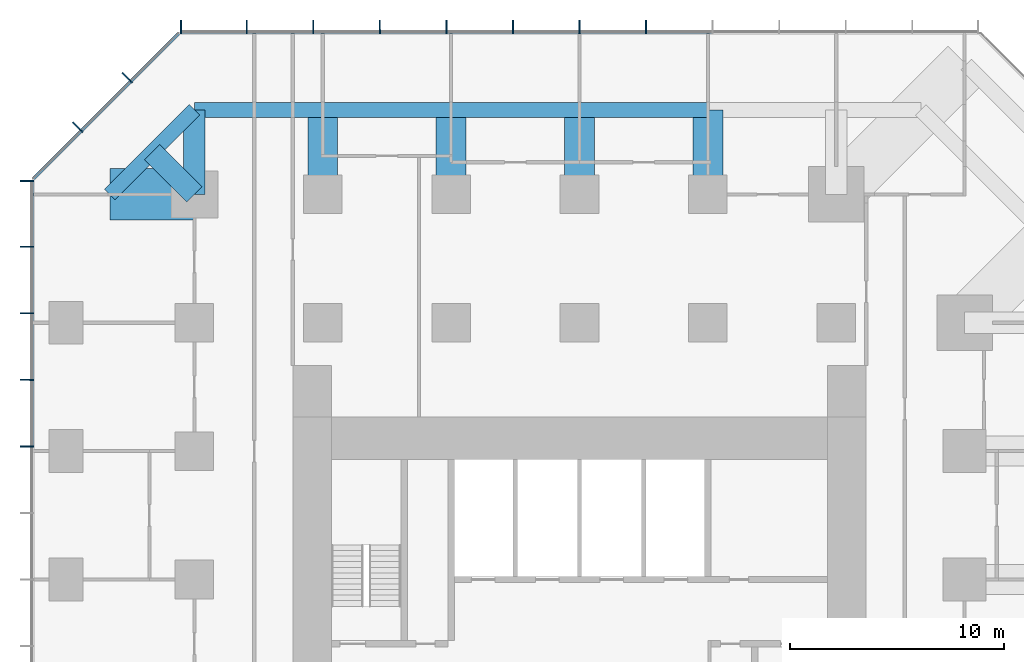
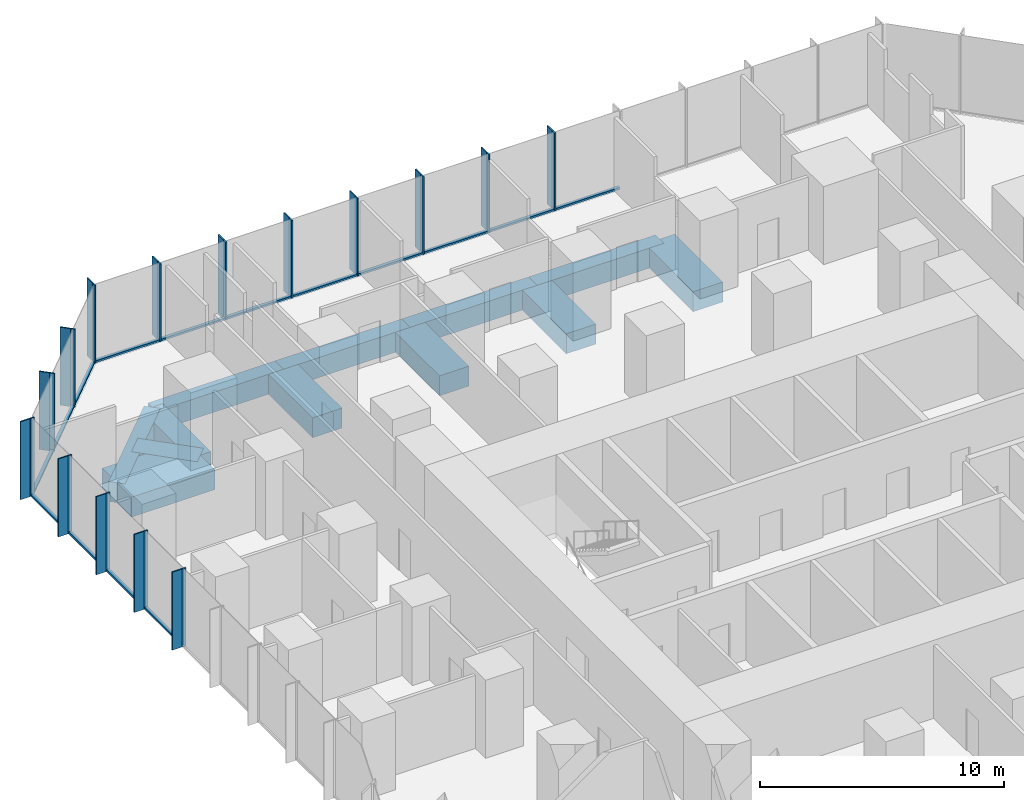
# One storey, part 5 of 12: 45 members, 12 beams, 3 elements without a shape of their own.
"""IFC4 building model written with IfcOpenShell, lengths in metres."""

from ifc_helpers import new_model, si_unit, direction, frame, origin, origin_2d, place, context, subcontext, project, spatial, rectangle, extrude, material, layer, layer_set, material_profile, profile_set, type_object, element, aggregate, save


model = new_model("IFC4")

# Units and contexts
model_context = context("Model", 3, precision=1e-05, world=origin(), true_north=direction((0.0, 1.0)))
body_context = subcontext(model_context, "Body", "Model", "MODEL_VIEW")
ifc_project = project(units=[si_unit("LENGTHUNIT", "METRE"), si_unit("AREAUNIT", "SQUARE_METRE"), si_unit("VOLUMEUNIT", "CUBIC_METRE"), si_unit("PLANEANGLEUNIT", "RADIAN"), si_unit("MASSUNIT", "GRAM", prefix="KILO")], contexts=[model_context])

# Site, building, storey
site_placement = place(None, origin())
site = spatial("IfcSite", under=ifc_project, at=site_placement, CompositionType="ELEMENT")
building_placement = place(site_placement, origin())
building = spatial("IfcBuilding", under=site, at=building_placement, Name="Highveld Stack Headquarters", CompositionType="ELEMENT")
storey_placement = place(building_placement, frame((0.0, 0.0, 76.699951171875)))
storey = spatial("IfcBuildingStorey", under=building, at=storey_placement, Name="L18", CompositionType="ELEMENT", Elevation=76.699951171875)

# Beams
ifc_material_1 = material(Name="Concrete C60/75", Category="concrete")
ifc_material_profile_1 = material_profile(ifc_material_1, rectangle(XDim=1.0, YDim=1.0, at=origin_2d()), Name="RC 1000x1000")
ifc_profile_set_1 = profile_set([ifc_material_profile_1], Name="Concrete C60/75")
beam_type_1 = type_object("IfcBeamType", Name="CANTILEVER RIB RC 1000x1000", PredefinedType="USERDEFINED", material=ifc_profile_set_1)
beam_1_placement = place(storey_placement, frame((-12.0, 24.0, -0.75), z_axis=(0.0, 1.0, 0.0), x_axis=(-1.0, 0.0, 0.0)))
element("IfcBeam", 1, at=beam_1_placement, inside=storey, type_object=beam_type_1, Name="Cantilever rib 4/J L18", ObjectType="CANTILEVER RIB", PredefinedType="USERDEFINED", context=body_context, shape_type="SweptSolid", body=[
    extrude(rectangle(XDim=1.0, YDim=1.0, at=origin_2d()), origin(), (0.0, 0.0, 1.0), 3.949951171875),
])
beam_2_placement = place(storey_placement, frame((-12.0, 24.0, -0.75), z_axis=(-0.707106781187, 0.707106781187, 0.0), x_axis=(-0.707106781187, -0.707106781187, 0.0)))
element("IfcBeam", 2, at=beam_2_placement, inside=storey, type_object=beam_type_1, Name="Cantilever rib 4/J L18", ObjectType="CANTILEVER RIB", PredefinedType="USERDEFINED", context=body_context, shape_type="SweptSolid", body=[
    extrude(rectangle(XDim=1.0, YDim=1.0, at=origin_2d()), origin(), (0.0, 0.0, 1.0), 2.793212890625),
])
ifc_material_2 = material(Name="Concrete C60/75", Category="concrete")
ifc_material_profile_2 = material_profile(ifc_material_2, rectangle(XDim=1.39990234375, YDim=1.0, at=origin_2d()), Name="RC 1400x1000")
ifc_profile_set_2 = profile_set([ifc_material_profile_2], Name="Concrete C60/75")
beam_type_2 = type_object("IfcBeamType", Name="CANTILEVER RIB RC 1400x1000", PredefinedType="USERDEFINED", material=ifc_profile_set_2)
for number, where, z_axis, x_axis, name in (
    (3, (-6.0, 24.0, -0.75), (0.0, 1.0, 0.0), (-1.0, 0.0, 0.0), "Cantilever rib 5/J L18"),
    (4, (0.0, 24.0, -0.75), (0.0, 1.0, 0.0), (-1.0, 0.0, 0.0), "Cantilever rib 6/J L18"),
    (5, (6.0, 24.0, -0.75), (0.0, 1.0, 0.0), (-1.0, 0.0, 0.0), "Cantilever rib 7/J L18"),
    (6, (12.0, 24.0, -0.75), (0.0, 1.0, 0.0), (-1.0, 0.0, 0.0), "Cantilever rib 8/J L18"),
):
    element("IfcBeam", number, at=place(storey_placement, frame(where, z_axis=z_axis, x_axis=x_axis)), inside=storey, type_object=beam_type_2, Name=name, ObjectType="CANTILEVER RIB", PredefinedType="USERDEFINED", context=body_context, shape_type="SweptSolid", body=[
        extrude(rectangle(XDim=1.39990234375, YDim=1.0, at=origin_2d()), origin(), (0.0, 0.0, 1.0), 3.949951171875),
    ])
ifc_material_3 = material(Name="Concrete C60/75", Category="concrete")
ifc_material_profile_3 = material_profile(ifc_material_3, rectangle(XDim=2.39990234375, YDim=1.0, at=origin_2d()), Name="RC 2400x1000")
ifc_profile_set_3 = profile_set([ifc_material_profile_3], Name="Concrete C60/75")
beam_type_3 = type_object("IfcBeamType", Name="CANTILEVER RIB RC 2400x1000", PredefinedType="USERDEFINED", material=ifc_profile_set_3)
beam_3_placement = place(storey_placement, frame((-12.0, 24.0, -0.75), z_axis=(-1.0, 0.0, 0.0), x_axis=(0.0, -1.0, 0.0)))
element("IfcBeam", 7, at=beam_3_placement, inside=storey, type_object=beam_type_3, Name="Cantilever rib 4/J L18", ObjectType="CANTILEVER RIB", PredefinedType="USERDEFINED", context=body_context, shape_type="SweptSolid", body=[
    extrude(rectangle(XDim=2.39990234375, YDim=1.0, at=origin_2d()), origin(), (0.0, 0.0, 1.0), 3.949951171875),
])

# Curtain wall, members
ifc_material_4 = material(Name="Aluminium bronze anodised", Category="aluminium")
ifc_layer_1 = layer(ifc_material_4, 0.199951171875)
ifc_layer_set_1 = layer_set([ifc_layer_1], Name="Aluminium bronze anodised")
curtain_wall_type_1 = type_object("IfcCurtainWallType", Name="CW1 TOWER UNITISED CURTAIN WALL", PredefinedType="NOTDEFINED", material=ifc_layer_set_1)
curtain_wall_1_placement = place(storey_placement, origin())
curtain_wall_1 = element("IfcCurtainWall", 8, at=curtain_wall_1_placement, inside=storey, type_object=curtain_wall_type_1, Name="Curtain wall CW1 L18 N", PredefinedType="NOTDEFINED")
ifc_material_5 = material(Name="Aluminium bronze anodised", Category="aluminium")
ifc_material_profile_4 = material_profile(ifc_material_5, rectangle(XDim=0.449951171875, YDim=0.06005859375, at=origin_2d()), Name="FIN 450x60")
ifc_profile_set_4 = profile_set([ifc_material_profile_4], Name="Aluminium bronze anodised")
member_type_1 = type_object("IfcMemberType", Name="CW1 BRONZE FIN 450x60", PredefinedType="USERDEFINED", material=ifc_profile_set_4)
member_1_placement = place(storey_placement, frame((9.110595703125, 31.925048828125, 0.0), z_axis=(0.0, 0.0, 1.0), x_axis=(0.0, -1.0, 0.0)))
member_1 = element("IfcMember", 9, at=member_1_placement, type_object=member_type_1, Name="CW1 fin L18 6", ObjectType="FIN", PredefinedType="USERDEFINED", context=body_context, shape_type="SweptSolid", body=[
    extrude(rectangle(XDim=0.449951171875, YDim=0.06005859375, at=origin_2d()), origin(), (0.0, 0.0, 1.0), 3.900146484375),
])
member_2_placement = place(storey_placement, frame((6.0, 31.925048828125, 0.0), z_axis=(0.0, 0.0, 1.0), x_axis=(0.0, -1.0, 0.0)))
member_2 = element("IfcMember", 10, at=member_2_placement, type_object=member_type_1, Name="CW1 fin L18 7", ObjectType="FIN", PredefinedType="USERDEFINED", context=body_context, shape_type="SweptSolid", body=[
    extrude(rectangle(XDim=0.449951171875, YDim=0.06005859375, at=origin_2d()), origin(), (0.0, 0.0, 1.0), 3.900146484375),
])
member_3_placement = place(storey_placement, frame((2.889404296875, 31.925048828125, 0.0), z_axis=(0.0, 0.0, 1.0), x_axis=(0.0, -1.0, 0.0)))
member_3 = element("IfcMember", 11, at=member_3_placement, type_object=member_type_1, Name="CW1 fin L18 8", ObjectType="FIN", PredefinedType="USERDEFINED", context=body_context, shape_type="SweptSolid", body=[
    extrude(rectangle(XDim=0.449951171875, YDim=0.06005859375, at=origin_2d()), origin(), (0.0, 0.0, 1.0), 3.900146484375),
])
member_4_placement = place(storey_placement, frame((-0.220947265625, 31.925048828125, 0.0), z_axis=(0.0, 0.0, 1.0), x_axis=(0.0, -1.0, 0.0)))
member_4 = element("IfcMember", 12, at=member_4_placement, type_object=member_type_1, Name="CW1 fin L18 9", ObjectType="FIN", PredefinedType="USERDEFINED", context=body_context, shape_type="SweptSolid", body=[
    extrude(rectangle(XDim=0.449951171875, YDim=0.06005859375, at=origin_2d()), origin(), (0.0, 0.0, 1.0), 3.900146484375),
])
member_5_placement = place(storey_placement, frame((-3.331298828125, 31.925048828125, 0.0), z_axis=(0.0, 0.0, 1.0), x_axis=(0.0, -1.0, 0.0)))
member_5 = element("IfcMember", 13, at=member_5_placement, type_object=member_type_1, Name="CW1 fin L18 10", ObjectType="FIN", PredefinedType="USERDEFINED", context=body_context, shape_type="SweptSolid", body=[
    extrude(rectangle(XDim=0.449951171875, YDim=0.06005859375, at=origin_2d()), origin(), (0.0, 0.0, 1.0), 3.900146484375),
])
member_6_placement = place(storey_placement, frame((-6.44189453125, 31.925048828125, 0.0), z_axis=(0.0, 0.0, 1.0), x_axis=(0.0, -1.0, 0.0)))
member_6 = element("IfcMember", 14, at=member_6_placement, type_object=member_type_1, Name="CW1 fin L18 11", ObjectType="FIN", PredefinedType="USERDEFINED", context=body_context, shape_type="SweptSolid", body=[
    extrude(rectangle(XDim=0.449951171875, YDim=0.06005859375, at=origin_2d()), origin(), (0.0, 0.0, 1.0), 3.900146484375),
])
member_7_placement = place(storey_placement, frame((-9.55224609375, 31.925048828125, 0.0), z_axis=(0.0, 0.0, 1.0), x_axis=(0.0, -1.0, 0.0)))
member_7 = element("IfcMember", 15, at=member_7_placement, type_object=member_type_1, Name="CW1 fin L18 12", ObjectType="FIN", PredefinedType="USERDEFINED", context=body_context, shape_type="SweptSolid", body=[
    extrude(rectangle(XDim=0.449951171875, YDim=0.06005859375, at=origin_2d()), origin(), (0.0, 0.0, 1.0), 3.900146484375),
])
member_8_placement = place(storey_placement, frame((-12.630126953125, 31.925048828125, 0.0), z_axis=(0.0, 0.0, 1.0), x_axis=(0.0, -1.0, 0.0)))
member_8 = element("IfcMember", 16, at=member_8_placement, type_object=member_type_1, Name="CW1 fin L18 13", ObjectType="FIN", PredefinedType="USERDEFINED", context=body_context, shape_type="SweptSolid", body=[
    extrude(rectangle(XDim=0.449951171875, YDim=0.06005859375, at=origin_2d()), origin(), (0.0, 0.0, 1.0), 3.900146484375),
])

curtain_wall_2_placement = place(storey_placement, origin())
curtain_wall_2 = element("IfcCurtainWall", 17, at=curtain_wall_2_placement, inside=storey, type_object=curtain_wall_type_1, Name="Curtain wall CW1 L18 W", PredefinedType="NOTDEFINED")
member_9_placement = place(storey_placement, frame((-19.925048828125, 24.630126953125, 0.0), z_axis=(0.0, 0.0, 1.0), x_axis=(1.0, 0.0, 0.0)))
member_9 = element("IfcMember", 18, at=member_9_placement, type_object=member_type_1, Name="CW1 fin L18 1", ObjectType="FIN", PredefinedType="USERDEFINED", context=body_context, shape_type="SweptSolid", body=[
    extrude(rectangle(XDim=0.449951171875, YDim=0.06005859375, at=origin_2d()), origin(), (0.0, 0.0, 1.0), 3.900146484375),
])
member_10_placement = place(storey_placement, frame((-19.925048828125, 21.55224609375, 0.0), z_axis=(0.0, 0.0, 1.0), x_axis=(1.0, 0.0, 0.0)))
member_10 = element("IfcMember", 19, at=member_10_placement, type_object=member_type_1, Name="CW1 fin L18 2", ObjectType="FIN", PredefinedType="USERDEFINED", context=body_context, shape_type="SweptSolid", body=[
    extrude(rectangle(XDim=0.449951171875, YDim=0.06005859375, at=origin_2d()), origin(), (0.0, 0.0, 1.0), 3.900146484375),
])
member_11_placement = place(storey_placement, frame((-19.925048828125, 18.44189453125, 0.0), z_axis=(0.0, 0.0, 1.0), x_axis=(1.0, 0.0, 0.0)))
member_11 = element("IfcMember", 20, at=member_11_placement, type_object=member_type_1, Name="CW1 fin L18 3", ObjectType="FIN", PredefinedType="USERDEFINED", context=body_context, shape_type="SweptSolid", body=[
    extrude(rectangle(XDim=0.449951171875, YDim=0.06005859375, at=origin_2d()), origin(), (0.0, 0.0, 1.0), 3.900146484375),
])
member_12_placement = place(storey_placement, frame((-19.925048828125, 15.331298828125, 0.0), z_axis=(0.0, 0.0, 1.0), x_axis=(1.0, 0.0, 0.0)))
member_12 = element("IfcMember", 21, at=member_12_placement, type_object=member_type_1, Name="CW1 fin L18 4", ObjectType="FIN", PredefinedType="USERDEFINED", context=body_context, shape_type="SweptSolid", body=[
    extrude(rectangle(XDim=0.449951171875, YDim=0.06005859375, at=origin_2d()), origin(), (0.0, 0.0, 1.0), 3.900146484375),
])
member_13_placement = place(storey_placement, frame((-19.925048828125, 12.220947265625, 0.0), z_axis=(0.0, 0.0, 1.0), x_axis=(1.0, 0.0, 0.0)))
member_13 = element("IfcMember", 22, at=member_13_placement, type_object=member_type_1, Name="CW1 fin L18 5", ObjectType="FIN", PredefinedType="USERDEFINED", context=body_context, shape_type="SweptSolid", body=[
    extrude(rectangle(XDim=0.449951171875, YDim=0.06005859375, at=origin_2d()), origin(), (0.0, 0.0, 1.0), 3.900146484375),
])

# Member
ifc_material_6 = material(Name="Aluminium bronze anodised", Category="aluminium")
ifc_material_profile_5 = material_profile(ifc_material_6, rectangle(XDim=0.199951171875, YDim=0.06494140625, at=origin_2d()), Name="CW1 MULLION 65x200")
ifc_profile_set_5 = profile_set([ifc_material_profile_5], Name="Aluminium bronze anodised")
member_type_2 = type_object("IfcMemberType", Name="CW1 MULLION 65x200", PredefinedType="MULLION", material=ifc_profile_set_5)
member_14_placement = place(storey_placement, frame((9.110595703125, 31.60009765625, 0.0), z_axis=(0.0, 0.0, 1.0), x_axis=(0.0, -1.0, 0.0)))
member_14 = element("IfcMember", 23, at=member_14_placement, type_object=member_type_2, Name="CW1 mullion L18 6", PredefinedType="MULLION", context=body_context, shape_type="SweptSolid", body=[
    extrude(rectangle(XDim=0.199951171875, YDim=0.06494140625, at=origin_2d()), origin(), (0.0, 0.0, 1.0), 3.900146484375),
])

member_15_placement = place(storey_placement, frame((6.0, 31.60009765625, 0.0), z_axis=(0.0, 0.0, 1.0), x_axis=(0.0, -1.0, 0.0)))
member_15 = element("IfcMember", 24, at=member_15_placement, type_object=member_type_2, Name="CW1 mullion L18 7", PredefinedType="MULLION", context=body_context, shape_type="SweptSolid", body=[
    extrude(rectangle(XDim=0.199951171875, YDim=0.06494140625, at=origin_2d()), origin(), (0.0, 0.0, 1.0), 3.900146484375),
])

member_16_placement = place(storey_placement, frame((2.889404296875, 31.60009765625, 0.0), z_axis=(0.0, 0.0, 1.0), x_axis=(0.0, -1.0, 0.0)))
member_16 = element("IfcMember", 25, at=member_16_placement, type_object=member_type_2, Name="CW1 mullion L18 8", PredefinedType="MULLION", context=body_context, shape_type="SweptSolid", body=[
    extrude(rectangle(XDim=0.199951171875, YDim=0.06494140625, at=origin_2d()), origin(), (0.0, 0.0, 1.0), 3.900146484375),
])

member_17_placement = place(storey_placement, frame((-0.220947265625, 31.60009765625, 0.0), z_axis=(0.0, 0.0, 1.0), x_axis=(0.0, -1.0, 0.0)))
member_17 = element("IfcMember", 26, at=member_17_placement, type_object=member_type_2, Name="CW1 mullion L18 9", PredefinedType="MULLION", context=body_context, shape_type="SweptSolid", body=[
    extrude(rectangle(XDim=0.199951171875, YDim=0.06494140625, at=origin_2d()), origin(), (0.0, 0.0, 1.0), 3.900146484375),
])

member_18_placement = place(storey_placement, frame((-3.331298828125, 31.60009765625, 0.0), z_axis=(0.0, 0.0, 1.0), x_axis=(0.0, -1.0, 0.0)))
member_18 = element("IfcMember", 27, at=member_18_placement, type_object=member_type_2, Name="CW1 mullion L18 10", PredefinedType="MULLION", context=body_context, shape_type="SweptSolid", body=[
    extrude(rectangle(XDim=0.199951171875, YDim=0.06494140625, at=origin_2d()), origin(), (0.0, 0.0, 1.0), 3.900146484375),
])

member_19_placement = place(storey_placement, frame((-6.44189453125, 31.60009765625, 0.0), z_axis=(0.0, 0.0, 1.0), x_axis=(0.0, -1.0, 0.0)))
member_19 = element("IfcMember", 28, at=member_19_placement, type_object=member_type_2, Name="CW1 mullion L18 11", PredefinedType="MULLION", context=body_context, shape_type="SweptSolid", body=[
    extrude(rectangle(XDim=0.199951171875, YDim=0.06494140625, at=origin_2d()), origin(), (0.0, 0.0, 1.0), 3.900146484375),
])

member_20_placement = place(storey_placement, frame((-9.55224609375, 31.60009765625, 0.0), z_axis=(0.0, 0.0, 1.0), x_axis=(0.0, -1.0, 0.0)))
member_20 = element("IfcMember", 29, at=member_20_placement, type_object=member_type_2, Name="CW1 mullion L18 12", PredefinedType="MULLION", context=body_context, shape_type="SweptSolid", body=[
    extrude(rectangle(XDim=0.199951171875, YDim=0.06494140625, at=origin_2d()), origin(), (0.0, 0.0, 1.0), 3.900146484375),
])

member_21_placement = place(storey_placement, frame((-12.630126953125, 31.60009765625, 0.0), z_axis=(0.0, 0.0, 1.0), x_axis=(0.0, -1.0, 0.0)))
member_21 = element("IfcMember", 30, at=member_21_placement, type_object=member_type_2, Name="CW1 mullion L18 13", PredefinedType="MULLION", context=body_context, shape_type="SweptSolid", body=[
    extrude(rectangle(XDim=0.199951171875, YDim=0.06494140625, at=origin_2d()), origin(), (0.0, 0.0, 1.0), 3.900146484375),
])

member_22_placement = place(storey_placement, frame((-19.60009765625, 24.630126953125, 0.0), z_axis=(0.0, 0.0, 1.0), x_axis=(1.0, 0.0, 0.0)))
member_22 = element("IfcMember", 31, at=member_22_placement, type_object=member_type_2, Name="CW1 mullion L18 1", PredefinedType="MULLION", context=body_context, shape_type="SweptSolid", body=[
    extrude(rectangle(XDim=0.199951171875, YDim=0.06494140625, at=origin_2d()), origin(), (0.0, 0.0, 1.0), 3.900146484375),
])

member_23_placement = place(storey_placement, frame((-19.60009765625, 21.55224609375, 0.0), z_axis=(0.0, 0.0, 1.0), x_axis=(1.0, 0.0, 0.0)))
member_23 = element("IfcMember", 32, at=member_23_placement, type_object=member_type_2, Name="CW1 mullion L18 2", PredefinedType="MULLION", context=body_context, shape_type="SweptSolid", body=[
    extrude(rectangle(XDim=0.199951171875, YDim=0.06494140625, at=origin_2d()), origin(), (0.0, 0.0, 1.0), 3.900146484375),
])

member_24_placement = place(storey_placement, frame((-19.60009765625, 18.44189453125, 0.0), z_axis=(0.0, 0.0, 1.0), x_axis=(1.0, 0.0, 0.0)))
member_24 = element("IfcMember", 33, at=member_24_placement, type_object=member_type_2, Name="CW1 mullion L18 3", PredefinedType="MULLION", context=body_context, shape_type="SweptSolid", body=[
    extrude(rectangle(XDim=0.199951171875, YDim=0.06494140625, at=origin_2d()), origin(), (0.0, 0.0, 1.0), 3.900146484375),
])

member_25_placement = place(storey_placement, frame((-19.60009765625, 15.331298828125, 0.0), z_axis=(0.0, 0.0, 1.0), x_axis=(1.0, 0.0, 0.0)))
member_25 = element("IfcMember", 34, at=member_25_placement, type_object=member_type_2, Name="CW1 mullion L18 4", PredefinedType="MULLION", context=body_context, shape_type="SweptSolid", body=[
    extrude(rectangle(XDim=0.199951171875, YDim=0.06494140625, at=origin_2d()), origin(), (0.0, 0.0, 1.0), 3.900146484375),
])

member_26_placement = place(storey_placement, frame((-19.60009765625, 12.220947265625, 0.0), z_axis=(0.0, 0.0, 1.0), x_axis=(1.0, 0.0, 0.0)))
member_26 = element("IfcMember", 35, at=member_26_placement, type_object=member_type_2, Name="CW1 mullion L18 5", PredefinedType="MULLION", context=body_context, shape_type="SweptSolid", body=[
    extrude(rectangle(XDim=0.199951171875, YDim=0.06494140625, at=origin_2d()), origin(), (0.0, 0.0, 1.0), 3.900146484375),
])

ifc_material_7 = material(Name="Aluminium bronze anodised", Category="aluminium")
ifc_material_profile_6 = material_profile(ifc_material_7, rectangle(XDim=0.14990234375, YDim=0.10009765625, at=origin_2d()), Name="CW1 TRANSOM 150x100")
ifc_profile_set_6 = profile_set([ifc_material_profile_6], Name="Aluminium bronze anodised")
member_type_3 = type_object("IfcMemberType", Name="CW1 STACK TRANSOM 150x100", PredefinedType="USERDEFINED", material=ifc_profile_set_6)
member_27_placement = place(storey_placement, frame((12.1884765625, 31.60009765625, 0.050048828125), z_axis=(-1.0, 0.0, 0.0), x_axis=(0.0, -1.0, 0.0)))
member_27 = element("IfcMember", 36, at=member_27_placement, type_object=member_type_3, Name="CW1 transom L18 5.1", ObjectType="TRANSOM", PredefinedType="USERDEFINED", context=body_context, shape_type="SweptSolid", body=[
    extrude(rectangle(XDim=0.14990234375, YDim=0.10009765625, at=origin_2d()), origin(), (0.0, 0.0, 1.0), 3.04541015625),
])

member_28_placement = place(storey_placement, frame((9.077880859375, 31.60009765625, 0.050048828125), z_axis=(-1.0, 0.0, 0.0), x_axis=(0.0, -1.0, 0.0)))
member_28 = element("IfcMember", 37, at=member_28_placement, type_object=member_type_3, Name="CW1 transom L18 6.1", ObjectType="TRANSOM", PredefinedType="USERDEFINED", context=body_context, shape_type="SweptSolid", body=[
    extrude(rectangle(XDim=0.14990234375, YDim=0.10009765625, at=origin_2d()), origin(), (0.0, 0.0, 1.0), 3.04541015625),
])

member_29_placement = place(storey_placement, frame((5.967529296875, 31.60009765625, 0.050048828125), z_axis=(-1.0, 0.0, 0.0), x_axis=(0.0, -1.0, 0.0)))
member_29 = element("IfcMember", 38, at=member_29_placement, type_object=member_type_3, Name="CW1 transom L18 7.1", ObjectType="TRANSOM", PredefinedType="USERDEFINED", context=body_context, shape_type="SweptSolid", body=[
    extrude(rectangle(XDim=0.14990234375, YDim=0.10009765625, at=origin_2d()), origin(), (0.0, 0.0, 1.0), 3.04541015625),
])

member_30_placement = place(storey_placement, frame((2.857177734375, 31.60009765625, 0.050048828125), z_axis=(-1.0, 0.0, 0.0), x_axis=(0.0, -1.0, 0.0)))
member_30 = element("IfcMember", 39, at=member_30_placement, type_object=member_type_3, Name="CW1 transom L18 8.1", ObjectType="TRANSOM", PredefinedType="USERDEFINED", context=body_context, shape_type="SweptSolid", body=[
    extrude(rectangle(XDim=0.14990234375, YDim=0.10009765625, at=origin_2d()), origin(), (0.0, 0.0, 1.0), 3.045654296875),
])

member_31_placement = place(storey_placement, frame((-0.25341796875, 31.60009765625, 0.050048828125), z_axis=(-1.0, 0.0, 0.0), x_axis=(0.0, -1.0, 0.0)))
member_31 = element("IfcMember", 40, at=member_31_placement, type_object=member_type_3, Name="CW1 transom L18 9.1", ObjectType="TRANSOM", PredefinedType="USERDEFINED", context=body_context, shape_type="SweptSolid", body=[
    extrude(rectangle(XDim=0.14990234375, YDim=0.10009765625, at=origin_2d()), origin(), (0.0, 0.0, 1.0), 3.04541015625),
])

member_32_placement = place(storey_placement, frame((-3.36376953125, 31.60009765625, 0.050048828125), z_axis=(-1.0, 0.0, 0.0), x_axis=(0.0, -1.0, 0.0)))
member_32 = element("IfcMember", 41, at=member_32_placement, type_object=member_type_3, Name="CW1 transom L18 10.1", ObjectType="TRANSOM", PredefinedType="USERDEFINED", context=body_context, shape_type="SweptSolid", body=[
    extrude(rectangle(XDim=0.14990234375, YDim=0.10009765625, at=origin_2d()), origin(), (0.0, 0.0, 1.0), 3.04541015625),
])

member_33_placement = place(storey_placement, frame((-6.474365234375, 31.60009765625, 0.050048828125), z_axis=(-1.0, 0.0, 0.0), x_axis=(0.0, -1.0, 0.0)))
member_33 = element("IfcMember", 42, at=member_33_placement, type_object=member_type_3, Name="CW1 transom L18 11.1", ObjectType="TRANSOM", PredefinedType="USERDEFINED", context=body_context, shape_type="SweptSolid", body=[
    extrude(rectangle(XDim=0.14990234375, YDim=0.10009765625, at=origin_2d()), origin(), (0.0, 0.0, 1.0), 3.04541015625),
])

member_34_placement = place(storey_placement, frame((-9.584716796875, 31.60009765625, 0.050048828125), z_axis=(-1.0, 0.0, 0.0), x_axis=(0.0, -1.0, 0.0)))
member_34 = element("IfcMember", 43, at=member_34_placement, type_object=member_type_3, Name="CW1 transom L18 12.1", ObjectType="TRANSOM", PredefinedType="USERDEFINED", context=body_context, shape_type="SweptSolid", body=[
    extrude(rectangle(XDim=0.14990234375, YDim=0.10009765625, at=origin_2d()), origin(), (0.0, 0.0, 1.0), 3.012939453125),
])

aggregate(curtain_wall_1, [member_14, member_1, member_15, member_2, member_16, member_3, member_17, member_4, member_18, member_5, member_19, member_6, member_20, member_7, member_21, member_8, member_27, member_28, member_29, member_30, member_31, member_32, member_33, member_34])

member_35_placement = place(storey_placement, frame((-19.60009765625, 24.59765625, 0.050048828125), z_axis=(0.0, -1.0, 0.0), x_axis=(1.0, 0.0, 0.0)))
member_35 = element("IfcMember", 44, at=member_35_placement, type_object=member_type_3, Name="CW1 transom L18 1.1", ObjectType="TRANSOM", PredefinedType="USERDEFINED", context=body_context, shape_type="SweptSolid", body=[
    extrude(rectangle(XDim=0.14990234375, YDim=0.10009765625, at=origin_2d()), origin(), (0.0, 0.0, 1.0), 3.012939453125),
])

member_36_placement = place(storey_placement, frame((-19.60009765625, 21.519775390625, 0.050048828125), z_axis=(0.0, -1.0, 0.0), x_axis=(1.0, 0.0, 0.0)))
member_36 = element("IfcMember", 45, at=member_36_placement, type_object=member_type_3, Name="CW1 transom L18 2.1", ObjectType="TRANSOM", PredefinedType="USERDEFINED", context=body_context, shape_type="SweptSolid", body=[
    extrude(rectangle(XDim=0.14990234375, YDim=0.10009765625, at=origin_2d()), origin(), (0.0, 0.0, 1.0), 3.04541015625),
])

member_37_placement = place(storey_placement, frame((-19.60009765625, 18.4091796875, 0.050048828125), z_axis=(0.0, -1.0, 0.0), x_axis=(1.0, 0.0, 0.0)))
member_37 = element("IfcMember", 46, at=member_37_placement, type_object=member_type_3, Name="CW1 transom L18 3.1", ObjectType="TRANSOM", PredefinedType="USERDEFINED", context=body_context, shape_type="SweptSolid", body=[
    extrude(rectangle(XDim=0.14990234375, YDim=0.10009765625, at=origin_2d()), origin(), (0.0, 0.0, 1.0), 3.045166015625),
])

member_38_placement = place(storey_placement, frame((-19.60009765625, 15.298828125, 0.050048828125), z_axis=(0.0, -1.0, 0.0), x_axis=(1.0, 0.0, 0.0)))
member_38 = element("IfcMember", 47, at=member_38_placement, type_object=member_type_3, Name="CW1 transom L18 4.1", ObjectType="TRANSOM", PredefinedType="USERDEFINED", context=body_context, shape_type="SweptSolid", body=[
    extrude(rectangle(XDim=0.14990234375, YDim=0.10009765625, at=origin_2d()), origin(), (0.0, 0.0, 1.0), 3.04541015625),
])

aggregate(curtain_wall_2, [member_22, member_9, member_23, member_10, member_24, member_11, member_25, member_12, member_26, member_13, member_35, member_36, member_37, member_38])

# Curtain wall, members
ifc_material_8 = material(Name="Aluminium bronze anodised", Category="aluminium")
ifc_layer_2 = layer(ifc_material_8, 0.199951171875)
ifc_layer_set_2 = layer_set([ifc_layer_2], Name="Aluminium bronze anodised")
curtain_wall_type_2 = type_object("IfcCurtainWallType", Name="CW2 TOWER CHAMFER UNITISED CURTAIN WALL", PredefinedType="NOTDEFINED", material=ifc_layer_set_2)
curtain_wall_3_placement = place(storey_placement, origin())
curtain_wall_3 = element("IfcCurtainWall", 48, at=curtain_wall_3_placement, inside=storey, type_object=curtain_wall_type_2, Name="Curtain wall CW2 L18 NW", PredefinedType="NOTDEFINED")
ifc_material_9 = material(Name="Aluminium bronze anodised", Category="aluminium")
ifc_material_profile_7 = material_profile(ifc_material_9, rectangle(XDim=0.449951171875, YDim=0.06005859375, at=origin_2d()), Name="FIN 450x60")
ifc_profile_set_7 = profile_set([ifc_material_profile_7], Name="Aluminium bronze anodised")
member_type_4 = type_object("IfcMemberType", Name="CW2 BRONZE FIN 450x60", PredefinedType="USERDEFINED", material=ifc_profile_set_7)
member_39_placement = place(storey_placement, frame((-15.204833984375, 29.517333984375, 0.0), z_axis=(0.0, 0.0, 1.0), x_axis=(0.707106781187, -0.707106781187, 0.0)))
member_39 = element("IfcMember", 49, at=member_39_placement, type_object=member_type_4, Name="CW2 fin L18 1", ObjectType="FIN", PredefinedType="USERDEFINED", context=body_context, shape_type="SweptSolid", body=[
    extrude(rectangle(XDim=0.449951171875, YDim=0.06005859375, at=origin_2d()), origin(), (0.0, 0.0, 1.0), 3.900146484375),
])
member_40_placement = place(storey_placement, frame((-17.517333984375, 27.204833984375, 0.0), z_axis=(0.0, 0.0, 1.0), x_axis=(0.707106781187, -0.707106781187, 0.0)))
member_40 = element("IfcMember", 50, at=member_40_placement, type_object=member_type_4, Name="CW2 fin L18 2", ObjectType="FIN", PredefinedType="USERDEFINED", context=body_context, shape_type="SweptSolid", body=[
    extrude(rectangle(XDim=0.449951171875, YDim=0.06005859375, at=origin_2d()), origin(), (0.0, 0.0, 1.0), 3.900146484375),
])
ifc_material_10 = material(Name="Aluminium bronze anodised", Category="aluminium")
ifc_material_profile_8 = material_profile(ifc_material_10, rectangle(XDim=0.199951171875, YDim=0.06494140625, at=origin_2d()), Name="CW2 MULLION 65x200")
ifc_profile_set_8 = profile_set([ifc_material_profile_8], Name="Aluminium bronze anodised")
member_type_5 = type_object("IfcMemberType", Name="CW2 MULLION 65x200", PredefinedType="MULLION", material=ifc_profile_set_8)
member_41_placement = place(storey_placement, frame((-14.97509765625, 29.28759765625, 0.0), z_axis=(0.0, 0.0, 1.0), x_axis=(0.707106781187, -0.707106781187, 0.0)))
member_41 = element("IfcMember", 51, at=member_41_placement, type_object=member_type_5, Name="CW2 mullion L18 1", PredefinedType="MULLION", context=body_context, shape_type="SweptSolid", body=[
    extrude(rectangle(XDim=0.199951171875, YDim=0.06494140625, at=origin_2d()), origin(), (0.0, 0.0, 1.0), 3.900146484375),
])
member_42_placement = place(storey_placement, frame((-17.28759765625, 26.97509765625, 0.0), z_axis=(0.0, 0.0, 1.0), x_axis=(0.707106781187, -0.707106781187, 0.0)))
member_42 = element("IfcMember", 52, at=member_42_placement, type_object=member_type_5, Name="CW2 mullion L18 2", PredefinedType="MULLION", context=body_context, shape_type="SweptSolid", body=[
    extrude(rectangle(XDim=0.199951171875, YDim=0.06494140625, at=origin_2d()), origin(), (0.0, 0.0, 1.0), 3.900146484375),
])
ifc_material_11 = material(Name="Aluminium bronze anodised", Category="aluminium")
ifc_material_profile_9 = material_profile(ifc_material_11, rectangle(XDim=0.14990234375, YDim=0.10009765625, at=origin_2d()), Name="CW2 TRANSOM 150x100")
ifc_profile_set_9 = profile_set([ifc_material_profile_9], Name="Aluminium bronze anodised")
member_type_6 = type_object("IfcMemberType", Name="CW2 STACK TRANSOM 150x100", PredefinedType="USERDEFINED", material=ifc_profile_set_9)
member_43_placement = place(storey_placement, frame((-12.7333984375, 31.529296875, 0.050048828125), z_axis=(-0.707106781187, -0.707106781187, 0.0), x_axis=(0.707106781187, -0.707106781187, 0.0)))
member_43 = element("IfcMember", 53, at=member_43_placement, type_object=member_type_6, Name="CW2 transom L18 1.1", ObjectType="TRANSOM", PredefinedType="USERDEFINED", context=body_context, shape_type="SweptSolid", body=[
    extrude(rectangle(XDim=0.14990234375, YDim=0.10009765625, at=origin_2d()), origin(), (0.0, 0.0, 1.0), 3.1376953125),
])
member_44_placement = place(storey_placement, frame((-14.998046875, 29.2646484375, 0.050048828125), z_axis=(-0.707106781187, -0.707106781187, 0.0), x_axis=(0.707106781187, -0.707106781187, 0.0)))
member_44 = element("IfcMember", 54, at=member_44_placement, type_object=member_type_6, Name="CW2 transom L18 2.1", ObjectType="TRANSOM", PredefinedType="USERDEFINED", context=body_context, shape_type="SweptSolid", body=[
    extrude(rectangle(XDim=0.14990234375, YDim=0.10009765625, at=origin_2d()), origin(), (0.0, 0.0, 1.0), 3.20556640625),
])
member_45_placement = place(storey_placement, frame((-17.310546875, 26.9521484375, 0.050048828125), z_axis=(-0.707106781187, -0.707106781187, 0.0), x_axis=(0.707106781187, -0.707106781187, 0.0)))
member_45 = element("IfcMember", 55, at=member_45_placement, type_object=member_type_6, Name="CW2 transom L18 3.1", ObjectType="TRANSOM", PredefinedType="USERDEFINED", context=body_context, shape_type="SweptSolid", body=[
    extrude(rectangle(XDim=0.14990234375, YDim=0.10009765625, at=origin_2d()), origin(), (0.0, 0.0, 1.0), 3.1376953125),
])
aggregate(curtain_wall_3, [member_41, member_39, member_42, member_40, member_43, member_44, member_45])

# Beams
ifc_material_12 = material(Name="Concrete C60/75", Category="concrete")
ifc_material_profile_10 = material_profile(ifc_material_12, rectangle(XDim=0.699951171875, YDim=1.0, at=origin_2d()), Name="RC 700x1000")
ifc_profile_set_10 = profile_set([ifc_material_profile_10], Name="Concrete C60/75")
beam_type_4 = type_object("IfcBeamType", Name="RIB TIP BEAM RC 700x1000", PredefinedType="SPANDREL", material=ifc_profile_set_10)
for number, where, z_axis, x_axis, name in (
    (56, (-12.0, 27.949951171875, -0.75), (1.0, 0.0, 0.0), (0.0, 1.0, 0.0), "Rib tip beam 4/J to 5/J L18"),
    (57, (-6.0, 27.949951171875, -0.75), (1.0, 0.0, 0.0), (0.0, 1.0, 0.0), "Rib tip beam 5/J to 6/J L18"),
    (58, (0.0, 27.949951171875, -0.75), (1.0, 0.0, 0.0), (0.0, 1.0, 0.0), "Rib tip beam 6/J to 7/J L18"),
    (59, (6.0, 27.949951171875, -0.75), (1.0, 0.0, 0.0), (0.0, 1.0, 0.0), "Rib tip beam 7/J to 8/J L18"),
):
    element("IfcBeam", number, at=place(storey_placement, frame(where, z_axis=z_axis, x_axis=x_axis)), inside=storey, type_object=beam_type_4, Name=name, PredefinedType="SPANDREL", context=body_context, shape_type="SweptSolid", body=[
        extrude(rectangle(XDim=0.699951171875, YDim=1.0, at=origin_2d()), origin(), (0.0, 0.0, 1.0), 6.0),
    ])
beam_4_placement = place(storey_placement, frame((-15.949951171875, 24.0, -0.75), z_axis=(0.707106781187, 0.707106781187, 0.0), x_axis=(-0.707106781187, 0.707106781187, 0.0)))
element("IfcBeam", 60, at=beam_4_placement, inside=storey, type_object=beam_type_4, Name="Rib tip beam 4/J corner L18", PredefinedType="SPANDREL", context=body_context, shape_type="SweptSolid", body=[
    extrude(rectangle(XDim=0.699951171875, YDim=1.0, at=origin_2d()), origin(), (0.0, 0.0, 1.0), 5.586181640625),
])

save(model, "model.ifc")
